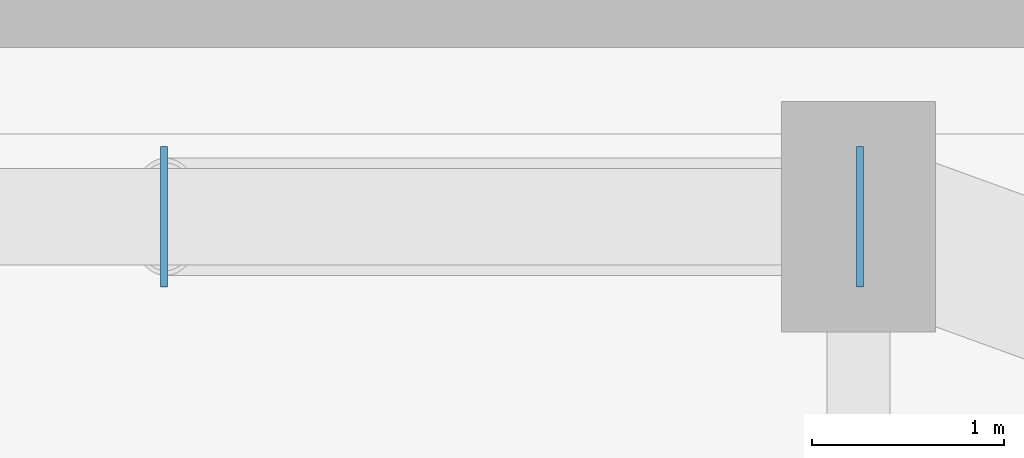
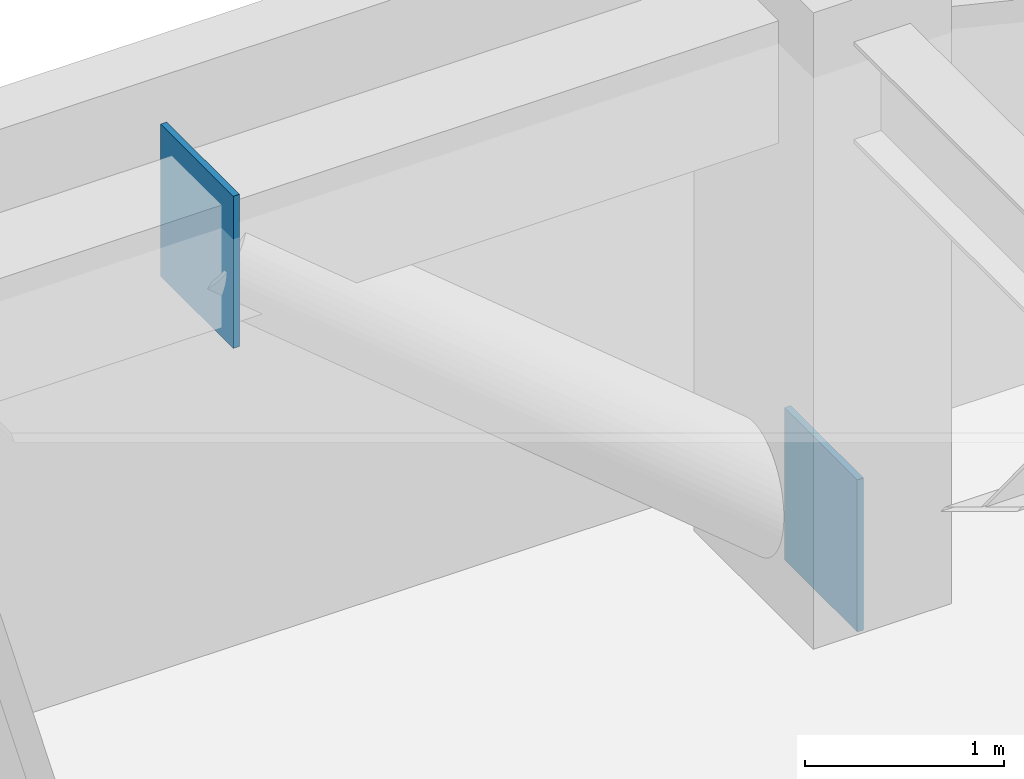
# One storey, part 17 of 24: 2 plates.
"""IFC4 building model written with IfcOpenShell, lengths in metres."""

from ifc_helpers import new_model, si_unit, direction, frame, origin, origin_2d, place, context, subcontext, project, spatial, rectangle, extrude, material, layer, layer_set, type_object, element, save


model = new_model("IFC4")

# Units and contexts
model_context = context("Model", 3, precision=1e-05, world=origin(), true_north=direction((0.0, 1.0)))
body_context = subcontext(model_context, "Body", "Model", "MODEL_VIEW")
ifc_project = project(units=[si_unit("LENGTHUNIT", "METRE"), si_unit("AREAUNIT", "SQUARE_METRE"), si_unit("VOLUMEUNIT", "CUBIC_METRE"), si_unit("PLANEANGLEUNIT", "RADIAN"), si_unit("MASSUNIT", "GRAM", prefix="KILO")], contexts=[model_context])

# Site, building, storey
site_placement = place(None, origin())
site = spatial("IfcSite", under=ifc_project, at=site_placement, CompositionType="ELEMENT")
building_placement = place(site_placement, origin())
building = spatial("IfcBuilding", under=site, at=building_placement, Name="Kiyonajd Concourse Tower", CompositionType="ELEMENT")
storey_placement = place(building_placement, frame((0.0, 0.0, 93.60009765625)))
storey = spatial("IfcBuildingStorey", under=building, at=storey_placement, Name="L24", CompositionType="ELEMENT", Elevation=93.60009765625)

# Plates
ifc_material = material(Name="Steel ASTM A572 Grade 50", Category="steel")
ifc_layer = layer(ifc_material, 0.028076171875)
ifc_layer_set = layer_set([ifc_layer], Name="Steel ASTM A572 Grade 50")
plate_type = type_object("IfcPlateType", Name="PL-CAP-450", PredefinedType="USERDEFINED", material=ifc_layer_set)
for number, where, z_axis, x_axis, name in (
    (1, (63.6083984375, 61.199951171875, -0.173583984375), (0.0, 0.0, 1.0), (1.0, 0.0, 0.0), "L24 Hollow Brace End Cap Plate PBN"),
    (2, (59.991455078125, 61.199951171875, 2.830322265625), (0.0, 0.0, 1.0), (-1.0, 0.0, 0.0), "L24 Hollow Brace Top Cap Plate PBN"),
):
    element("IfcPlate", number, at=place(storey_placement, frame(where, z_axis=z_axis, x_axis=x_axis)), inside=storey, type_object=plate_type, Name=name, ObjectType="CAP PLATE", PredefinedType="USERDEFINED", context=body_context, shape_type="SweptSolid", body=[
        extrude(rectangle(XDim=0.035888671875, YDim=0.72998046875, at=origin_2d()), origin(), (0.0, 0.0, 1.0), 0.93310546875),
    ])

save(model, "model.ifc")
